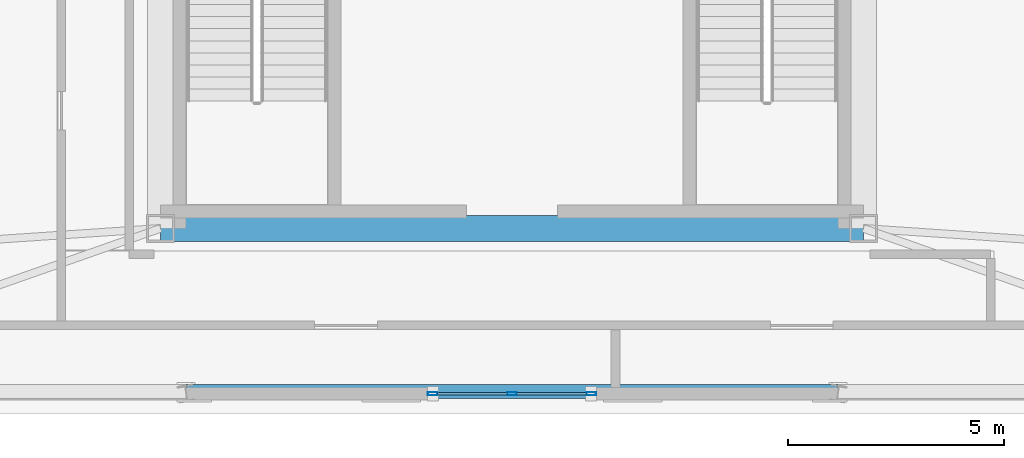
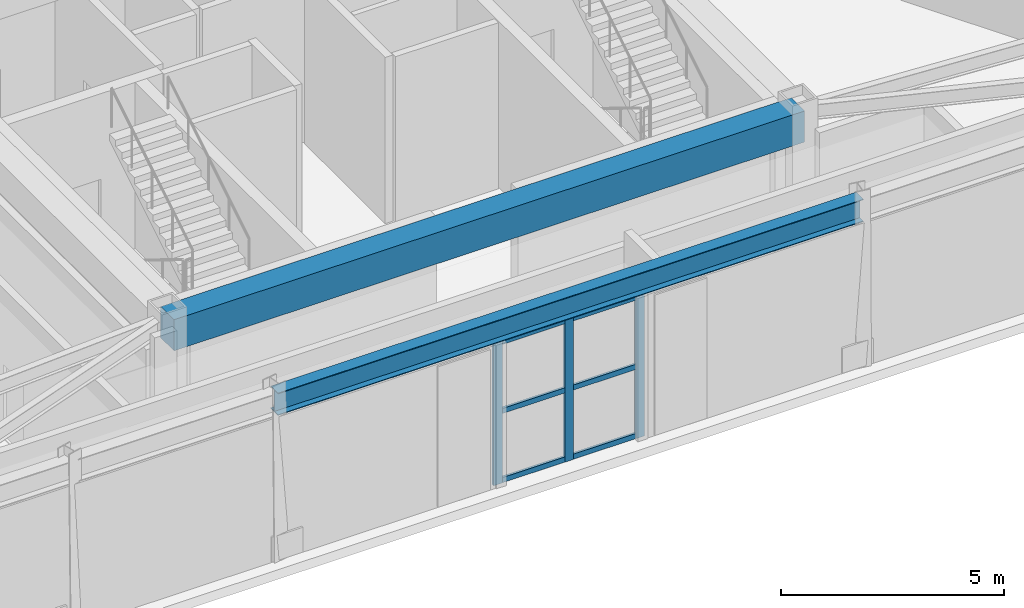
# One storey, part 2 of 12: 9 members, 2 beams, 1 element without a shape of its own.
"""IFC4 building model written with IfcOpenShell, lengths in metres."""

from ifc_helpers import new_model, si_unit, direction, frame, origin, origin_2d, place, context, subcontext, project, spatial, rectangle, hollow_rectangle, i_section, extrude, material, layer, layer_set, material_profile, profile_set, type_object, element, aggregate, save


model = new_model("IFC4")

# Units and contexts
model_context = context("Model", 3, precision=1e-05, world=origin(), true_north=direction((0.0, 1.0)))
body_context = subcontext(model_context, "Body", "Model", "MODEL_VIEW")
ifc_project = project(units=[si_unit("LENGTHUNIT", "METRE"), si_unit("AREAUNIT", "SQUARE_METRE"), si_unit("VOLUMEUNIT", "CUBIC_METRE"), si_unit("PLANEANGLEUNIT", "RADIAN"), si_unit("MASSUNIT", "GRAM", prefix="KILO")], contexts=[model_context])

# Site, building, storey
site_placement = place(None, origin())
site = spatial("IfcSite", under=ifc_project, at=site_placement, CompositionType="ELEMENT")
building_placement = place(site_placement, origin())
building = spatial("IfcBuilding", under=site, at=building_placement, Name="Oramaril Tower", CompositionType="ELEMENT")
storey_placement = place(building_placement, frame((0.0, 0.0, 314.10009765625)))
storey = spatial("IfcBuildingStorey", under=building, at=storey_placement, Name="L82", CompositionType="ELEMENT", Elevation=314.10009765625)

# Beams
ifc_material_1 = material(Name="Concrete C50/60", Category="concrete")
ifc_material_profile_1 = material_profile(ifc_material_1, rectangle(XDim=0.60009765625, YDim=0.85009765625, at=origin_2d()), Name="CB600X850")
ifc_profile_set_1 = profile_set([ifc_material_profile_1], Name="Concrete C50/60")
beam_type_1 = type_object("IfcBeamType", Name="BT-CB2", PredefinedType="BEAM", material=ifc_profile_set_1)
beam_1_placement = place(storey_placement, frame((29.35009765625, 11.0, 4.114990234375), z_axis=(1.0, 0.0, 0.0), x_axis=(0.0, 1.0, 0.0)))
element("IfcBeam", 1, at=beam_1_placement, inside=storey, type_object=beam_type_1, Name="L82 Core Header Beam CB-1", PredefinedType="BEAM", context=body_context, shape_type="SweptSolid", body=[
    extrude(rectangle(XDim=0.60009765625, YDim=0.85009765625, at=origin_2d()), origin(), (0.0, 0.0, 1.0), 16.2998046875),
])
ifc_material_2 = material(Name="Steel ASTM A572 Gr 50", Category="steel")
ifc_material_profile_2 = material_profile(ifc_material_2, i_section(OverallWidth=0.324951171875, OverallDepth=0.612060546875, WebThickness=0.0126953125, FlangeThickness=0.01904296875, at=origin_2d()), Name="W24X104")
ifc_profile_set_2 = profile_set([ifc_material_profile_2], Name="Steel ASTM A572 Gr 50")
beam_type_2 = type_object("IfcBeamType", Name="BT-SP5", PredefinedType="SPANDREL", material=ifc_profile_set_2)
beam_2_placement = place(storey_placement, frame((29.9345703125, 7.218994140625, 4.23388671875), z_axis=(1.0, 0.0, 0.0), x_axis=(0.0, 1.0, 0.0)))
element("IfcBeam", 2, at=beam_2_placement, inside=storey, type_object=beam_type_2, Name="L82 Perimeter Spandrel 04", PredefinedType="SPANDREL", context=body_context, shape_type="SweptSolid", body=[
    extrude(i_section(OverallWidth=0.324951171875, OverallDepth=0.612060546875, WebThickness=0.0126953125, FlangeThickness=0.01904296875, at=origin_2d()), origin(), (0.0, 0.0, 1.0), 15.130859375),
])

# Curtain wall, members
ifc_material_3 = material(Name="Anodised Aluminium 6063-T6", Category="aluminium")
ifc_layer = layer(ifc_material_3, 0.219970703125)
ifc_layer_set = layer_set([ifc_layer], Name="CWT-SYS6")
curtain_wall_type = type_object("IfcCurtainWallType", Name="CWT-SYS6", PredefinedType="NOTDEFINED", material=ifc_layer_set)
curtain_wall_placement = place(storey_placement, origin())
curtain_wall = element("IfcCurtainWall", 3, at=curtain_wall_placement, inside=storey, type_object=curtain_wall_type, Name="L82 Unitised Curtain Wall CW-6", PredefinedType="NOTDEFINED")
ifc_material_4 = material(Name="Anodised Aluminium 6063-T6", Category="aluminium")
ifc_material_profile_3 = material_profile(ifc_material_4, hollow_rectangle(XDim=0.080078125, YDim=0.219970703125, WallThickness=0.00390625, at=origin_2d()), Name="CWM220X80")
ifc_profile_set_3 = profile_set([ifc_material_profile_3], Name="Anodised Aluminium 6063-T6")
member_type_1 = type_object("IfcMemberType", Name="MT-CWM1", PredefinedType="MULLION", material=ifc_profile_set_3)
member_1_placement = place(storey_placement, frame((35.659912109375, 7.164306640625, 0.0), z_axis=(0.0, 0.0, 1.0), x_axis=(0.0, 1.0, 0.0)))
member_1 = element("IfcMember", 4, at=member_1_placement, type_object=member_type_1, Name="CW-6 mullion 1", PredefinedType="MULLION", context=body_context, shape_type="SweptSolid", body=[
    extrude(hollow_rectangle(XDim=0.080078125, YDim=0.219970703125, WallThickness=0.00390625, at=origin_2d()), origin(), (0.0, 0.0, 1.0), 3.91796875),
])
member_2_placement = place(storey_placement, frame((37.5, 7.164306640625, 0.0), z_axis=(0.0, 0.0, 1.0), x_axis=(0.0, 1.0, 0.0)))
member_2 = element("IfcMember", 5, at=member_2_placement, type_object=member_type_1, Name="CW-6 mullion 2", PredefinedType="MULLION", context=body_context, shape_type="SweptSolid", body=[
    extrude(hollow_rectangle(XDim=0.080078125, YDim=0.219970703125, WallThickness=0.00390625, at=origin_2d()), origin(), (0.0, 0.0, 1.0), 3.91796875),
])
member_3_placement = place(storey_placement, frame((39.340087890625, 7.164306640625, 0.0), z_axis=(0.0, 0.0, 1.0), x_axis=(0.0, 1.0, 0.0)))
member_3 = element("IfcMember", 6, at=member_3_placement, type_object=member_type_1, Name="CW-6 mullion 3", PredefinedType="MULLION", context=body_context, shape_type="SweptSolid", body=[
    extrude(hollow_rectangle(XDim=0.080078125, YDim=0.219970703125, WallThickness=0.00390625, at=origin_2d()), origin(), (0.0, 0.0, 1.0), 3.91796875),
])
ifc_material_5 = material(Name="Anodised Aluminium 6063-T6", Category="aluminium")
ifc_material_profile_4 = material_profile(ifc_material_5, hollow_rectangle(XDim=0.06494140625, YDim=0.139892578125, WallThickness=0.00390625, at=origin_2d()), Name="CWT140X65")
ifc_profile_set_4 = profile_set([ifc_material_profile_4], Name="Anodised Aluminium 6063-T6")
member_type_2 = type_object("IfcMemberType", Name="MT-CWT2", PredefinedType="USERDEFINED", material=ifc_profile_set_4)
member_4_placement = place(storey_placement, frame((35.77001953125, 7.164306640625, 0.06982421875), z_axis=(1.0, 0.0, 0.0), x_axis=(0.0, 1.0, 0.0)))
member_4 = element("IfcMember", 7, at=member_4_placement, type_object=member_type_2, Name="CW-6 transom 1.1", ObjectType="TRANSOM", PredefinedType="USERDEFINED", context=body_context, shape_type="SweptSolid", body=[
    extrude(hollow_rectangle(XDim=0.06494140625, YDim=0.139892578125, WallThickness=0.00390625, at=origin_2d()), origin(), (0.0, 0.0, 1.0), 1.619873046875),
])
member_5_placement = place(storey_placement, frame((35.77001953125, 7.164306640625, 1.958984375), z_axis=(1.0, 0.0, 0.0), x_axis=(0.0, 1.0, 0.0)))
member_5 = element("IfcMember", 8, at=member_5_placement, type_object=member_type_2, Name="CW-6 transom 1.2", ObjectType="TRANSOM", PredefinedType="USERDEFINED", context=body_context, shape_type="SweptSolid", body=[
    extrude(hollow_rectangle(XDim=0.06494140625, YDim=0.139892578125, WallThickness=0.00390625, at=origin_2d()), origin(), (0.0, 0.0, 1.0), 1.619873046875),
])
member_6_placement = place(storey_placement, frame((35.77001953125, 7.164306640625, 3.847900390625), z_axis=(1.0, 0.0, 0.0), x_axis=(0.0, 1.0, 0.0)))
member_6 = element("IfcMember", 9, at=member_6_placement, type_object=member_type_2, Name="CW-6 transom 1.3", ObjectType="TRANSOM", PredefinedType="USERDEFINED", context=body_context, shape_type="SweptSolid", body=[
    extrude(hollow_rectangle(XDim=0.06494140625, YDim=0.139892578125, WallThickness=0.00390625, at=origin_2d()), origin(), (0.0, 0.0, 1.0), 1.619873046875),
])
member_7_placement = place(storey_placement, frame((37.610107421875, 7.164306640625, 0.06982421875), z_axis=(1.0, 0.0, 0.0), x_axis=(0.0, 1.0, 0.0)))
member_7 = element("IfcMember", 10, at=member_7_placement, type_object=member_type_2, Name="CW-6 transom 2.1", ObjectType="TRANSOM", PredefinedType="USERDEFINED", context=body_context, shape_type="SweptSolid", body=[
    extrude(hollow_rectangle(XDim=0.06494140625, YDim=0.139892578125, WallThickness=0.00390625, at=origin_2d()), origin(), (0.0, 0.0, 1.0), 1.619873046875),
])
member_8_placement = place(storey_placement, frame((37.610107421875, 7.164306640625, 1.958984375), z_axis=(1.0, 0.0, 0.0), x_axis=(0.0, 1.0, 0.0)))
member_8 = element("IfcMember", 11, at=member_8_placement, type_object=member_type_2, Name="CW-6 transom 2.2", ObjectType="TRANSOM", PredefinedType="USERDEFINED", context=body_context, shape_type="SweptSolid", body=[
    extrude(hollow_rectangle(XDim=0.06494140625, YDim=0.139892578125, WallThickness=0.00390625, at=origin_2d()), origin(), (0.0, 0.0, 1.0), 1.619873046875),
])
member_9_placement = place(storey_placement, frame((37.610107421875, 7.164306640625, 3.847900390625), z_axis=(1.0, 0.0, 0.0), x_axis=(0.0, 1.0, 0.0)))
member_9 = element("IfcMember", 12, at=member_9_placement, type_object=member_type_2, Name="CW-6 transom 2.3", ObjectType="TRANSOM", PredefinedType="USERDEFINED", context=body_context, shape_type="SweptSolid", body=[
    extrude(hollow_rectangle(XDim=0.06494140625, YDim=0.139892578125, WallThickness=0.00390625, at=origin_2d()), origin(), (0.0, 0.0, 1.0), 1.619873046875),
])
aggregate(curtain_wall, [member_1, member_2, member_3, member_4, member_5, member_6, member_7, member_8, member_9])

save(model, "model.ifc")
